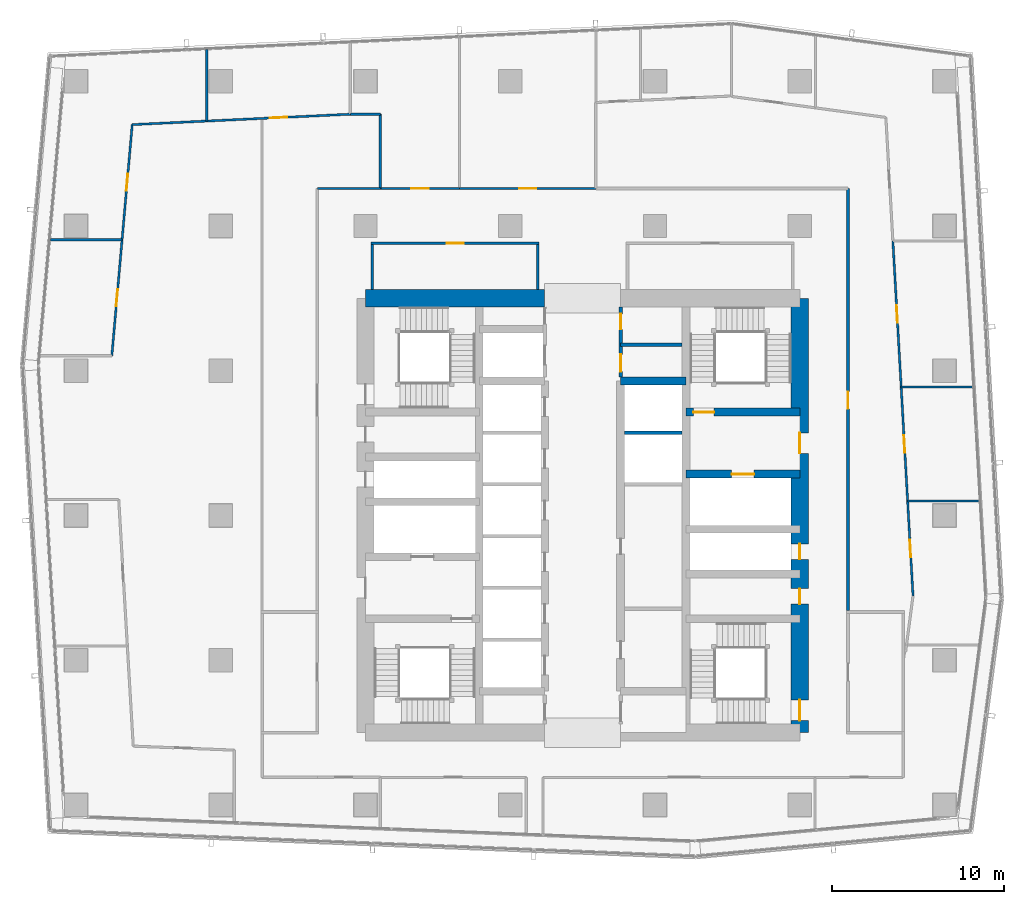
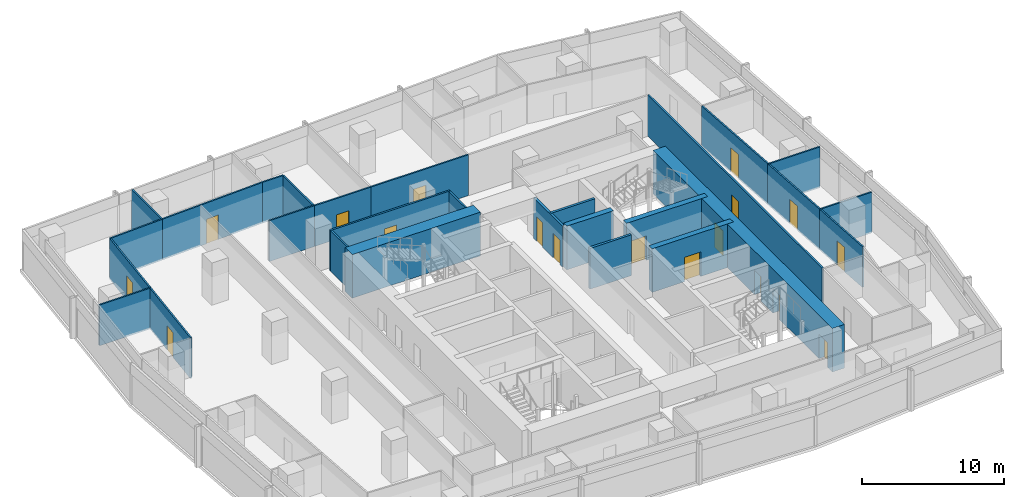
# One storey, part 29 of 38: 28 walls, 18 doors, 18 openings.
"""IFC4 building model written with IfcOpenShell, lengths in metres."""

from ifc_helpers import new_model, si_unit, direction, frame, frame_2d, origin, place, context, subcontext, project, spatial, rectangle, extrude, material, layer, layer_set, type_object, element, fill, save


model = new_model("IFC4")

# Units and contexts
model_context = context("Model", 3, precision=1e-05, world=origin(), true_north=direction((0.0, 1.0)))
body_context = subcontext(model_context, "Body", "Model", "MODEL_VIEW")
ifc_project = project(units=[si_unit("LENGTHUNIT", "METRE"), si_unit("AREAUNIT", "SQUARE_METRE"), si_unit("VOLUMEUNIT", "CUBIC_METRE"), si_unit("PLANEANGLEUNIT", "RADIAN"), si_unit("MASSUNIT", "GRAM", prefix="KILO")], contexts=[model_context])

# Site, building, storey
site_placement = place(None, origin())
site = spatial("IfcSite", under=ifc_project, at=site_placement, CompositionType="ELEMENT")
building_placement = place(site_placement, origin())
building = spatial("IfcBuilding", under=site, at=building_placement, Name="Rekha Terrace Tower", CompositionType="ELEMENT")
storey_placement = place(building_placement, frame((0.0, 0.0, 202.699951171875)))
storey = spatial("IfcBuildingStorey", under=building, at=storey_placement, Name="L51", CompositionType="ELEMENT", Elevation=202.699951171875)

# Wall
ifc_material_1 = material(Name="Concrete M60", Category="concrete")
ifc_layer_1 = layer(ifc_material_1, 0.449951171875)
ifc_layer_set_1 = layer_set([ifc_layer_1], Name="Concrete M60")
wall_type_1 = type_object("IfcWallType", Name="CI3 450 core internal shear wall", PredefinedType="SHEAR", material=ifc_layer_set_1)
wall_1_placement = place(storey_placement, frame((40.0, 41.39990234375, 0.0), z_axis=(0.0, 0.0, 1.0), x_axis=(1.0, 0.0, 0.0)))
element("IfcWall", 1, at=wall_1_placement, inside=storey, type_object=wall_type_1, Name="Core wall Y414E L51", PredefinedType="SHEAR", context=body_context, shape_type="SweptSolid", body=[
    extrude(rectangle(XDim=3.800048828125, YDim=0.449951171875, at=frame_2d((1.89990234375, 0.0))), origin(), (0.0, 0.0, 1.0), 3.75),
])

# Wall, opening, door
wall_2_placement = place(storey_placement, frame((43.800048828125, 36.0, 0.0), z_axis=(0.0, 0.0, 1.0), x_axis=(1.0, 0.0, 0.0)))
wall_2 = element("IfcWall", 2, at=wall_2_placement, inside=storey, type_object=wall_type_1, Name="Core wall Y360E L51", PredefinedType="SHEAR", context=body_context, shape_type="SweptSolid", body=[
    extrude(rectangle(XDim=6.599853515625, YDim=0.449951171875, at=frame_2d((3.2998046875, 0.0))), origin(), (0.0, 0.0, 1.0), 3.75),
])
opening_1_placement = place(wall_2_placement, frame((2.64990234375, 0.0, 0.0)))
opening_1 = element("IfcOpeningElement", 3, at=opening_1_placement, cuts=wall_2, Name="Opening LD2", PredefinedType="OPENING", context=body_context, shape_type="SweptSolid", body=[
    extrude(rectangle(XDim=1.300048828125, YDim=2.10009765625, at=frame_2d((0.64990234375, 1.050048828125))), frame((0.0, 0.23486328125, 0.0), z_axis=(0.0, -1.0, 0.0), x_axis=(1.0, 0.0, 0.0)), (0.0, 0.0, 1.0), 0.469970703125),
])
ifc_material_2 = material(Name="Stainless steel sliding landing door", Category="steel")
door_type_1 = type_object("IfcDoorType", Name="LD2 1300x2100 fire lift landing door", OperationType="SLIDING_TO_LEFT", PredefinedType="USERDEFINED", material=ifc_material_2)
door_1_placement = place(opening_1_placement, origin())
door_1 = element("IfcDoor", 4, at=door_1_placement, inside=storey, type_object=door_type_1, Name="Lift FL2 landing door L51", ObjectType="LIFT LANDING DOOR", OperationType="SLIDING_TO_LEFT", OverallHeight=2.10009765625, OverallWidth=1.300048828125, PredefinedType="USERDEFINED", context=body_context, shape_type="SweptSolid", body=[
    extrude(rectangle(XDim=1.300048828125, YDim=2.10009765625, at=frame_2d((0.64990234375, 1.050048828125))), frame((0.0, 0.02490234375, 0.0), z_axis=(0.0, -1.0, 0.0), x_axis=(1.0, 0.0, 0.0)), (0.0, 0.0, 1.0), 0.050048828125),
])
fill(opening_1, door_1)

wall_3_placement = place(storey_placement, frame((43.800048828125, 39.60009765625, 0.0), z_axis=(0.0, 0.0, 1.0), x_axis=(1.0, 0.0, 0.0)))
wall_3 = element("IfcWall", 5, at=wall_3_placement, inside=storey, type_object=wall_type_1, Name="Core wall Y396E L51", PredefinedType="SHEAR", context=body_context, shape_type="SweptSolid", body=[
    extrude(rectangle(XDim=6.599853515625, YDim=0.449951171875, at=frame_2d((3.2998046875, 0.0))), origin(), (0.0, 0.0, 1.0), 3.75),
])
opening_2_placement = place(wall_3_placement, frame((0.425048828125, 0.0, 0.0)))
opening_2 = element("IfcOpeningElement", 6, at=opening_2_placement, cuts=wall_3, Name="Opening D1", PredefinedType="OPENING", context=body_context, shape_type="SweptSolid", body=[
    extrude(rectangle(XDim=1.199951171875, YDim=2.10009765625, at=frame_2d((0.60009765625, 1.050048828125))), frame((0.0, 0.23486328125, 0.0), z_axis=(0.0, -1.0, 0.0), x_axis=(1.0, 0.0, 0.0)), (0.0, 0.0, 1.0), 0.469970703125),
])
ifc_material_3 = material(Name="Steel fire door", Category="steel")
door_type_2 = type_object("IfcDoorType", Name="D1 1200x2100 stair fire door", OperationType="SINGLE_SWING_RIGHT", PredefinedType="DOOR", material=ifc_material_3)
door_2_placement = place(opening_2_placement, origin())
door_2 = element("IfcDoor", 7, at=door_2_placement, inside=storey, type_object=door_type_2, Name="Stair ST2 door L51", OperationType="SINGLE_SWING_RIGHT", OverallHeight=2.10009765625, OverallWidth=1.199951171875, PredefinedType="DOOR", context=body_context, shape_type="SweptSolid", body=[
    extrude(rectangle(XDim=1.199951171875, YDim=2.10009765625, at=frame_2d((0.60009765625, 1.050048828125))), frame((0.0, 0.02490234375, 0.0), z_axis=(0.0, -1.0, 0.0), x_axis=(1.0, 0.0, 0.0)), (0.0, 0.0, 1.0), 0.050048828125),
])
fill(opening_2, door_2)

# Wall
ifc_layer_2 = layer(ifc_material_1, 1.0)
ifc_layer_set_2 = layer_set([ifc_layer_2], Name="Concrete M60")
wall_type_2 = type_object("IfcWallType", Name="SW3 1000 core outer shear wall", PredefinedType="SHEAR", material=ifc_layer_set_2)
wall_4_placement = place(storey_placement, frame((25.199951171875, 46.199951171875, 0.0), z_axis=(0.0, 0.0, 1.0), x_axis=(1.0, 0.0, 0.0)))
element("IfcWall", 8, at=wall_4_placement, inside=storey, type_object=wall_type_2, Name="Core wall N1 L51", PredefinedType="SHEAR", context=body_context, shape_type="SweptSolid", body=[
    extrude(rectangle(XDim=10.400146484375, YDim=1.0, at=frame_2d((5.2001953125, 0.0))), origin(), (0.0, 0.0, 1.0), 3.75),
])

# Wall, openings, doors
wall_5_placement = place(storey_placement, frame((50.39990234375, 21.0, 0.0), z_axis=(0.0, 0.0, 1.0), x_axis=(0.0, 1.0, 0.0)))
wall_5 = element("IfcWall", 9, at=wall_5_placement, inside=storey, type_object=wall_type_2, Name="Core wall E L51", PredefinedType="SHEAR", context=body_context, shape_type="SweptSolid", body=[
    extrude(rectangle(XDim=25.199951171875, YDim=1.0, at=frame_2d((12.60009765625, 0.0))), origin(), (0.0, 0.0, 1.0), 3.75),
])
opening_3_placement = place(wall_5_placement, frame((16.199951171875, 0.0, 0.0)))
opening_3 = element("IfcOpeningElement", 10, at=opening_3_placement, cuts=wall_5, Name="Opening D2", PredefinedType="OPENING", context=body_context, shape_type="SweptSolid", body=[
    extrude(rectangle(XDim=1.199951171875, YDim=2.10009765625, at=frame_2d((0.60009765625, 1.050048828125))), frame((0.0, 0.510009765625, 0.0), z_axis=(0.0, -1.0, 0.0), x_axis=(1.0, 0.0, 0.0)), (0.0, 0.0, 1.0), 1.02001953125),
])
opening_4_placement = place(wall_5_placement, frame((10.050048828125, 0.0, 0.0)))
opening_4 = element("IfcOpeningElement", 11, at=opening_4_placement, cuts=wall_5, Name="Opening D5", PredefinedType="OPENING", context=body_context, shape_type="SweptSolid", body=[
    extrude(rectangle(XDim=0.89990234375, YDim=2.10009765625, at=frame_2d((0.449951171875, 1.050048828125))), frame((0.0, 0.510009765625, 0.0), z_axis=(0.0, -1.0, 0.0), x_axis=(1.0, 0.0, 0.0)), (0.0, 0.0, 1.0), 1.02001953125),
])
opening_5_placement = place(wall_5_placement, frame((7.449951171875, 0.0, 0.0)))
opening_5 = element("IfcOpeningElement", 12, at=opening_5_placement, cuts=wall_5, Name="Opening D5", PredefinedType="OPENING", context=body_context, shape_type="SweptSolid", body=[
    extrude(rectangle(XDim=0.89990234375, YDim=2.10009765625, at=frame_2d((0.449951171875, 1.050048828125))), frame((0.0, 0.510009765625, 0.0), z_axis=(0.0, -1.0, 0.0), x_axis=(1.0, 0.0, 0.0)), (0.0, 0.0, 1.0), 1.02001953125),
])
opening_6_placement = place(wall_5_placement, frame((0.699951171875, 0.0, 0.0)))
opening_6 = element("IfcOpeningElement", 13, at=opening_6_placement, cuts=wall_5, Name="Opening D1", PredefinedType="OPENING", context=body_context, shape_type="SweptSolid", body=[
    extrude(rectangle(XDim=1.199951171875, YDim=2.10009765625, at=frame_2d((0.60009765625, 1.050048828125))), frame((0.0, 0.510009765625, 0.0), z_axis=(0.0, -1.0, 0.0), x_axis=(1.0, 0.0, 0.0)), (0.0, 0.0, 1.0), 1.02001953125),
])
door_3_placement = place(opening_6_placement, origin())
door_3 = element("IfcDoor", 14, at=door_3_placement, inside=storey, type_object=door_type_2, Name="Stair ST3 door L51", OperationType="SINGLE_SWING_RIGHT", OverallHeight=2.10009765625, OverallWidth=1.199951171875, PredefinedType="DOOR", context=body_context, shape_type="SweptSolid", body=[
    extrude(rectangle(XDim=1.199951171875, YDim=2.10009765625, at=frame_2d((0.60009765625, 1.050048828125))), frame((0.0, 0.02490234375, 0.0), z_axis=(0.0, -1.0, 0.0), x_axis=(1.0, 0.0, 0.0)), (0.0, 0.0, 1.0), 0.050048828125),
])
fill(opening_6, door_3)
door_type_3 = type_object("IfcDoorType", Name="D2 1200x2100 firefighting lobby door", OperationType="SINGLE_SWING_LEFT", PredefinedType="DOOR", material=ifc_material_3)
door_4_placement = place(opening_3_placement, origin())
door_4 = element("IfcDoor", 15, at=door_4_placement, inside=storey, type_object=door_type_3, Name="Door flb2 L51", OperationType="SINGLE_SWING_LEFT", OverallHeight=2.10009765625, OverallWidth=1.199951171875, PredefinedType="DOOR", context=body_context, shape_type="SweptSolid", body=[
    extrude(rectangle(XDim=1.199951171875, YDim=2.10009765625, at=frame_2d((0.60009765625, 1.050048828125))), frame((0.0, 0.02490234375, 0.0), z_axis=(0.0, -1.0, 0.0), x_axis=(1.0, 0.0, 0.0)), (0.0, 0.0, 1.0), 0.050048828125),
])
fill(opening_3, door_4)
door_type_4 = type_object("IfcDoorType", Name="D5 900x2100 riser access door", OperationType="SINGLE_SWING_LEFT", PredefinedType="DOOR", material=ifc_material_3)
door_5_placement = place(opening_4_placement, origin())
door_5 = element("IfcDoor", 16, at=door_5_placement, inside=storey, type_object=door_type_4, Name="Door rs2 L51", OperationType="SINGLE_SWING_LEFT", OverallHeight=2.10009765625, OverallWidth=0.89990234375, PredefinedType="DOOR", context=body_context, shape_type="SweptSolid", body=[
    extrude(rectangle(XDim=0.89990234375, YDim=2.10009765625, at=frame_2d((0.449951171875, 1.050048828125))), frame((0.0, 0.02490234375, 0.0), z_axis=(0.0, -1.0, 0.0), x_axis=(1.0, 0.0, 0.0)), (0.0, 0.0, 1.0), 0.050048828125),
])
fill(opening_4, door_5)
door_6_placement = place(opening_5_placement, origin())
door_6 = element("IfcDoor", 17, at=door_6_placement, inside=storey, type_object=door_type_4, Name="Door ele L51", OperationType="SINGLE_SWING_LEFT", OverallHeight=2.10009765625, OverallWidth=0.89990234375, PredefinedType="DOOR", context=body_context, shape_type="SweptSolid", body=[
    extrude(rectangle(XDim=0.89990234375, YDim=2.10009765625, at=frame_2d((0.449951171875, 1.050048828125))), frame((0.0, 0.02490234375, 0.0), z_axis=(0.0, -1.0, 0.0), x_axis=(1.0, 0.0, 0.0)), (0.0, 0.0, 1.0), 0.050048828125),
])
fill(opening_5, door_6)

# Wall, opening, door
ifc_material_4 = material(Name="Concrete block masonry, 1 hour", Category="masonry")
ifc_layer_3 = layer(ifc_material_4, 0.14990234375)
ifc_layer_set_3 = layer_set([ifc_layer_3], Name="Concrete block masonry, 1 hour")
wall_type_3 = type_object("IfcWallType", Name="WP2 150 tenancy partition", PredefinedType="PARTITIONING", material=ifc_layer_set_3)
wall_6_placement = place(storey_placement, frame((25.52490234375, 49.39990234375, 0.0), z_axis=(0.0, 0.0, 1.0), x_axis=(1.0, 0.0, 0.0)))
wall_6 = element("IfcWall", 18, at=wall_6_placement, inside=storey, type_object=wall_type_3, Name="Women's WC wall L51", PredefinedType="PARTITIONING", context=body_context, shape_type="SweptSolid", body=[
    extrude(rectangle(XDim=9.75, YDim=0.14990234375, at=frame_2d((4.875, 0.0))), origin(), (0.0, 0.0, 1.0), 3.5),
])
opening_7_placement = place(wall_6_placement, frame((4.375, 0.0, 0.0)))
opening_7 = element("IfcOpeningElement", 19, at=opening_7_placement, cuts=wall_6, Name="Opening D3", PredefinedType="OPENING", context=body_context, shape_type="SweptSolid", body=[
    extrude(rectangle(XDim=1.0, YDim=2.10009765625, at=frame_2d((0.5, 1.050048828125))), frame((0.0, 0.0849609375, 0.0), z_axis=(0.0, -1.0, 0.0), x_axis=(1.0, 0.0, 0.0)), (0.0, 0.0, 1.0), 0.169921875),
])
ifc_material_5 = material(Name="Laminated timber fire door", Category="wood")
door_type_5 = type_object("IfcDoorType", Name="D3 1000x2100 WC door", OperationType="SINGLE_SWING_LEFT", PredefinedType="DOOR", material=ifc_material_5)
door_7_placement = place(opening_7_placement, origin())
door_7 = element("IfcDoor", 20, at=door_7_placement, inside=storey, type_object=door_type_5, Name="Door women's wc L51", OperationType="SINGLE_SWING_LEFT", OverallHeight=2.10009765625, OverallWidth=1.0, PredefinedType="DOOR", context=body_context, shape_type="SweptSolid", body=[
    extrude(rectangle(XDim=1.0, YDim=2.10009765625, at=frame_2d((0.5, 1.050048828125))), frame((0.0, 0.02490234375, 0.0), z_axis=(0.0, -1.0, 0.0), x_axis=(1.0, 0.0, 0.0)), (0.0, 0.0, 1.0), 0.050048828125),
])
fill(opening_7, door_7)

# Walls
for number, where, z_axis, x_axis, name in (
    (21, (25.60009765625, 46.699951171875, 0.0), (0.0, 0.0, 1.0), (0.0, 1.0, 0.0), "Women's WC wall L51"),
    (22, (35.199951171875, 46.699951171875, 0.0), (0.0, 0.0, 1.0), (0.0, 1.0, 0.0), "Women's WC wall L51"),
):
    element("IfcWall", number, at=place(storey_placement, frame(where, z_axis=z_axis, x_axis=x_axis)), inside=storey, type_object=wall_type_3, Name=name, PredefinedType="PARTITIONING", context=body_context, shape_type="SweptSolid", body=[
        extrude(rectangle(XDim=2.625, YDim=0.14990234375, at=frame_2d((1.3125, 0.0))), origin(), (0.0, 0.0, 1.0), 3.5),
    ])

# Wall, opening, door
wall_7_placement = place(storey_placement, frame((53.199951171875, 28.074951171875, 0.0), z_axis=(0.0, 0.0, 1.0), x_axis=(0.0, 1.0, 0.0)))
wall_7 = element("IfcWall", 23, at=wall_7_placement, inside=storey, type_object=wall_type_3, Name="Partition L51-O1", PredefinedType="PARTITIONING", context=body_context, shape_type="SweptSolid", body=[
    extrude(rectangle(XDim=24.5, YDim=0.14990234375, at=frame_2d((12.25, 0.0))), origin(), (0.0, 0.0, 1.0), 3.5),
])
opening_8_placement = place(wall_7_placement, frame((11.712890625, 0.0, 0.0)))
opening_8 = element("IfcOpeningElement", 24, at=opening_8_placement, cuts=wall_7, Name="Opening D9", PredefinedType="OPENING", context=body_context, shape_type="SweptSolid", body=[
    extrude(rectangle(XDim=1.0, YDim=2.10009765625, at=frame_2d((0.5, 1.050048828125))), frame((0.0, 0.0849609375, 0.0), z_axis=(0.0, -1.0, 0.0), x_axis=(1.0, 0.0, 0.0)), (0.0, 0.0, 1.0), 0.169921875),
])
ifc_material_6 = material(Name="Timber fire door", Category="wood")
door_type_6 = type_object("IfcDoorType", Name="D9 1000x2100 office door", OperationType="SINGLE_SWING_LEFT", PredefinedType="DOOR", material=ifc_material_6)
door_8_placement = place(opening_8_placement, origin())
door_8 = element("IfcDoor", 25, at=door_8_placement, inside=storey, type_object=door_type_6, Name="Door open-plan office L51", OperationType="SINGLE_SWING_LEFT", OverallHeight=2.10009765625, OverallWidth=1.0, PredefinedType="DOOR", context=body_context, shape_type="SweptSolid", body=[
    extrude(rectangle(XDim=1.0, YDim=2.10009765625, at=frame_2d((0.5, 1.050048828125))), frame((0.0, 0.02490234375, 0.0), z_axis=(0.0, -1.0, 0.0), x_axis=(1.0, 0.0, 0.0)), (0.0, 0.0, 1.0), 0.050048828125),
])
fill(opening_8, door_8)

ifc_material_7 = material(Name="Two layers of fire-rated gypsum board each side on steel studs, acoustic quilt, 1 hour", Category="steel")
ifc_layer_4 = layer(ifc_material_7, 0.125)
ifc_layer_set_4 = layer_set([ifc_layer_4], Name="Two layers of fire-rated gypsum board each side on steel studs, acoustic quilt, 1 hour")
wall_type_4 = type_object("IfcWallType", Name="WP3 125 office partition", PredefinedType="PARTITIONING", material=ifc_layer_set_4)
wall_8_placement = place(storey_placement, frame((56.969970703125, 28.93798828125, 0.0), z_axis=(0.0, 0.0, 1.0), x_axis=(-0.056688504788, 0.998391913742, 0.0)))
wall_8 = element("IfcWall", 26, at=wall_8_placement, inside=storey, type_object=wall_type_4, Name="Partition L51-03", PredefinedType="PARTITIONING", context=body_context, shape_type="SweptSolid", body=[
    extrude(rectangle(XDim=5.50390625, YDim=0.125, at=frame_2d((2.751953125, 0.0))), origin(), (0.0, 0.0, 1.0), 3.5),
])
opening_9_placement = place(wall_8_placement, frame((2.251953125, 0.0, 0.0)))
opening_9 = element("IfcOpeningElement", 27, at=opening_9_placement, cuts=wall_8, Name="Opening D9", PredefinedType="OPENING", context=body_context, shape_type="SweptSolid", body=[
    extrude(rectangle(XDim=1.0, YDim=2.10009765625, at=frame_2d((0.5, 1.050048828125))), frame((0.0, 0.072509765625, 0.0), z_axis=(0.0, -1.0, 0.0), x_axis=(1.0, 0.0, 0.0)), (0.0, 0.0, 1.0), 0.14501953125),
])
door_9_placement = place(opening_9_placement, origin())
door_9 = element("IfcDoor", 28, at=door_9_placement, inside=storey, type_object=door_type_6, Name="Door office L51", OperationType="SINGLE_SWING_LEFT", OverallHeight=2.10009765625, OverallWidth=1.0, PredefinedType="DOOR", context=body_context, shape_type="SweptSolid", body=[
    extrude(rectangle(XDim=1.0, YDim=2.10009765625, at=frame_2d((0.5, 1.050048828125))), frame((0.0, 0.02490234375, 0.0), z_axis=(0.0, -1.0, 0.0), x_axis=(1.0, 0.0, 0.0)), (0.0, 0.0, 1.0), 0.050048828125),
])
fill(opening_9, door_9)

# Wall
wall_9_placement = place(storey_placement, frame((56.657958984375, 34.43310546875, 0.0), z_axis=(0.0, 0.0, 1.0), x_axis=(1.0, 0.0, 0.0)))
element("IfcWall", 29, at=wall_9_placement, inside=storey, type_object=wall_type_4, Name="Partition L51-03", PredefinedType="PARTITIONING", context=body_context, shape_type="SweptSolid", body=[
    extrude(rectangle(XDim=4.156982421875, YDim=0.125, at=frame_2d((2.07861328125, 0.0))), origin(), (0.0, 0.0, 1.0), 3.5),
])

# Wall, opening, door
wall_10_placement = place(storey_placement, frame((56.657958984375, 34.43408203125, 0.0), z_axis=(0.0, 0.0, 1.0), x_axis=(-0.056556940453, 0.998399375244, 0.0)))
wall_10 = element("IfcWall", 30, at=wall_10_placement, inside=storey, type_object=wall_type_4, Name="Partition L51-04", PredefinedType="PARTITIONING", context=body_context, shape_type="SweptSolid", body=[
    extrude(rectangle(XDim=6.63037109375, YDim=0.125, at=frame_2d((3.315185546875, 0.0))), origin(), (0.0, 0.0, 1.0), 3.5),
])
opening_10_placement = place(wall_10_placement, frame((2.81494140625, 0.0, 0.0)))
opening_10 = element("IfcOpeningElement", 31, at=opening_10_placement, cuts=wall_10, Name="Opening D9", PredefinedType="OPENING", context=body_context, shape_type="SweptSolid", body=[
    extrude(rectangle(XDim=1.0, YDim=2.10009765625, at=frame_2d((0.5, 1.050048828125))), frame((0.0, 0.072509765625, 0.0), z_axis=(0.0, -1.0, 0.0), x_axis=(1.0, 0.0, 0.0)), (0.0, 0.0, 1.0), 0.14501953125),
])
door_10_placement = place(opening_10_placement, origin())
door_10 = element("IfcDoor", 32, at=door_10_placement, inside=storey, type_object=door_type_6, Name="Door office L51", OperationType="SINGLE_SWING_LEFT", OverallHeight=2.10009765625, OverallWidth=1.0, PredefinedType="DOOR", context=body_context, shape_type="SweptSolid", body=[
    extrude(rectangle(XDim=1.0, YDim=2.10009765625, at=frame_2d((0.5, 1.050048828125))), frame((0.0, 0.02490234375, 0.0), z_axis=(0.0, -1.0, 0.0), x_axis=(1.0, 0.0, 0.0)), (0.0, 0.0, 1.0), 0.050048828125),
])
fill(opening_10, door_10)

# Wall
wall_11_placement = place(storey_placement, frame((56.282958984375, 41.053955078125, 0.0), z_axis=(0.0, 0.0, 1.0), x_axis=(1.0, 0.0, 0.0)))
element("IfcWall", 33, at=wall_11_placement, inside=storey, type_object=wall_type_4, Name="Partition L51-04", PredefinedType="PARTITIONING", context=body_context, shape_type="SweptSolid", body=[
    extrude(rectangle(XDim=4.156005859375, YDim=0.125, at=frame_2d((2.078125, 0.0))), origin(), (0.0, 0.0, 1.0), 3.5),
])

# Wall, opening, door
wall_12_placement = place(storey_placement, frame((56.282958984375, 41.054931640625, 0.0), z_axis=(0.0, 0.0, 1.0), x_axis=(-0.056725059265, 0.998389837514, 0.0)))
wall_12 = element("IfcWall", 34, at=wall_12_placement, inside=storey, type_object=wall_type_4, Name="Partition L51-05", PredefinedType="PARTITIONING", context=body_context, shape_type="SweptSolid", body=[
    extrude(rectangle(XDim=8.478759765625, YDim=0.125, at=frame_2d((4.2392578125, 0.0))), origin(), (0.0, 0.0, 1.0), 3.5),
])
opening_11_placement = place(wall_12_placement, frame((3.739013671875, 0.0, 0.0)))
opening_11 = element("IfcOpeningElement", 35, at=opening_11_placement, cuts=wall_12, Name="Opening D9", PredefinedType="OPENING", context=body_context, shape_type="SweptSolid", body=[
    extrude(rectangle(XDim=1.0, YDim=2.10009765625, at=frame_2d((0.5, 1.050048828125))), frame((0.0, 0.072509765625, 0.0), z_axis=(0.0, -1.0, 0.0), x_axis=(1.0, 0.0, 0.0)), (0.0, 0.0, 1.0), 0.14501953125),
])
door_11_placement = place(opening_11_placement, origin())
door_11 = element("IfcDoor", 36, at=door_11_placement, inside=storey, type_object=door_type_6, Name="Door office L51", OperationType="SINGLE_SWING_LEFT", OverallHeight=2.10009765625, OverallWidth=1.0, PredefinedType="DOOR", context=body_context, shape_type="SweptSolid", body=[
    extrude(rectangle(XDim=1.0, YDim=2.10009765625, at=frame_2d((0.5, 1.050048828125))), frame((0.0, 0.02490234375, 0.0), z_axis=(0.0, -1.0, 0.0), x_axis=(1.0, 0.0, 0.0)), (0.0, 0.0, 1.0), 0.050048828125),
])
fill(opening_11, door_11)

wall_13_placement = place(storey_placement, frame((30.660888671875, 52.574951171875, 0.0), z_axis=(0.0, 0.0, 1.0), x_axis=(-1.0, 0.0, 0.0)))
wall_13 = element("IfcWall", 37, at=wall_13_placement, inside=storey, type_object=wall_type_4, Name="Partition L51-10", PredefinedType="PARTITIONING", context=body_context, shape_type="SweptSolid", body=[
    extrude(rectangle(XDim=4.602783203125, YDim=0.125, at=frame_2d((2.30126953125, 0.0))), origin(), (0.0, 0.0, 1.0), 3.5),
])
opening_12_placement = place(wall_13_placement, frame((1.802001953125, 0.0, 0.0)))
opening_12 = element("IfcOpeningElement", 38, at=opening_12_placement, cuts=wall_13, Name="Opening D9", PredefinedType="OPENING", context=body_context, shape_type="SweptSolid", body=[
    extrude(rectangle(XDim=1.0, YDim=2.10009765625, at=frame_2d((0.5, 1.050048828125))), frame((0.0, 0.072509765625, 0.0), z_axis=(0.0, -1.0, 0.0), x_axis=(1.0, 0.0, 0.0)), (0.0, 0.0, 1.0), 0.14501953125),
])
door_12_placement = place(opening_12_placement, origin())
door_12 = element("IfcDoor", 39, at=door_12_placement, inside=storey, type_object=door_type_6, Name="Door office L51", OperationType="SINGLE_SWING_LEFT", OverallHeight=2.10009765625, OverallWidth=1.0, PredefinedType="DOOR", context=body_context, shape_type="SweptSolid", body=[
    extrude(rectangle(XDim=1.0, YDim=2.10009765625, at=frame_2d((0.5, 1.050048828125))), frame((0.0, 0.02490234375, 0.0), z_axis=(0.0, -1.0, 0.0), x_axis=(1.0, 0.0, 0.0)), (0.0, 0.0, 1.0), 0.050048828125),
])
fill(opening_12, door_12)

# Walls
wall_14_placement = place(storey_placement, frame((26.05810546875, 52.574951171875, 0.0), z_axis=(0.0, 0.0, 1.0), x_axis=(0.0, 1.0, 0.0)))
element("IfcWall", 40, at=wall_14_placement, inside=storey, type_object=wall_type_4, Name="Partition L51-10", PredefinedType="PARTITIONING", context=body_context, shape_type="SweptSolid", body=[
    extrude(rectangle(XDim=4.31005859375, YDim=0.125, at=frame_2d((2.155029296875, 0.0))), origin(), (0.0, 0.0, 1.0), 3.5),
])
wall_15_placement = place(storey_placement, frame((26.05810546875, 56.885009765625, 0.0), z_axis=(0.0, 0.0, 1.0), x_axis=(-1.0, 0.0, 0.0)))
element("IfcWall", 41, at=wall_15_placement, inside=storey, type_object=wall_type_4, Name="Partition L51-10", PredefinedType="PARTITIONING", context=body_context, shape_type="SweptSolid", body=[
    extrude(rectangle(XDim=1.736083984375, YDim=0.125, at=frame_2d((0.8681640625, 0.0))), origin(), (0.0, 0.0, 1.0), 3.5),
])

# Wall, opening, door
wall_16_placement = place(storey_placement, frame((24.31689453125, 56.885009765625, 0.0), z_axis=(0.0, 0.0, 1.0), x_axis=(-0.998859973319, -0.047736293327, 0.0)))
wall_16 = element("IfcWall", 42, at=wall_16_placement, inside=storey, type_object=wall_type_4, Name="Partition L51-11", PredefinedType="PARTITIONING", context=body_context, shape_type="SweptSolid", body=[
    extrude(rectangle(XDim=8.33642578125, YDim=0.125, at=frame_2d((4.168212890625, 0.0))), origin(), (0.0, 0.0, 1.0), 3.5),
])
opening_13_placement = place(wall_16_placement, frame((3.66796875, 0.0, 0.0)))
opening_13 = element("IfcOpeningElement", 43, at=opening_13_placement, cuts=wall_16, Name="Opening D9", PredefinedType="OPENING", context=body_context, shape_type="SweptSolid", body=[
    extrude(rectangle(XDim=1.0, YDim=2.10009765625, at=frame_2d((0.5, 1.050048828125))), frame((0.0, 0.072509765625, 0.0), z_axis=(0.0, -1.0, 0.0), x_axis=(1.0, 0.0, 0.0)), (0.0, 0.0, 1.0), 0.14501953125),
])
door_13_placement = place(opening_13_placement, origin())
door_13 = element("IfcDoor", 44, at=door_13_placement, inside=storey, type_object=door_type_6, Name="Door office L51", OperationType="SINGLE_SWING_LEFT", OverallHeight=2.10009765625, OverallWidth=1.0, PredefinedType="DOOR", context=body_context, shape_type="SweptSolid", body=[
    extrude(rectangle(XDim=1.0, YDim=2.10009765625, at=frame_2d((0.5, 1.050048828125))), frame((0.0, 0.02490234375, 0.0), z_axis=(0.0, -1.0, 0.0), x_axis=(1.0, 0.0, 0.0)), (0.0, 0.0, 1.0), 0.050048828125),
])
fill(opening_13, door_13)

# Walls
wall_17_placement = place(storey_placement, frame((15.989990234375, 56.487060546875, 0.0), z_axis=(0.0, 0.0, 1.0), x_axis=(0.0, 1.0, 0.0)))
element("IfcWall", 45, at=wall_17_placement, inside=storey, type_object=wall_type_4, Name="Partition L51-11", PredefinedType="PARTITIONING", context=body_context, shape_type="SweptSolid", body=[
    extrude(rectangle(XDim=4.155029296875, YDim=0.125, at=frame_2d((2.07763671875, 0.0))), origin(), (0.0, 0.0, 1.0), 3.5),
])
wall_18_placement = place(storey_placement, frame((11.072998046875, 49.60205078125, 0.0), z_axis=(0.0, 0.0, 1.0), x_axis=(-1.0, 0.0, 0.0)))
element("IfcWall", 46, at=wall_18_placement, inside=storey, type_object=wall_type_4, Name="Partition L51-12", PredefinedType="PARTITIONING", context=body_context, shape_type="SweptSolid", body=[
    extrude(rectangle(XDim=4.1669921875, YDim=0.125, at=frame_2d((2.08349609375, 0.0))), origin(), (0.0, 0.0, 1.0), 3.5),
])
wall_19_placement = place(storey_placement, frame((15.989013671875, 56.487060546875, 0.0), z_axis=(0.0, 0.0, 1.0), x_axis=(-0.998857273451, -0.047792753365, 0.0)))
element("IfcWall", 47, at=wall_19_placement, inside=storey, type_object=wall_type_4, Name="Partition L51-12", PredefinedType="PARTITIONING", context=body_context, shape_type="SweptSolid", body=[
    extrude(rectangle(XDim=4.331787109375, YDim=0.125, at=frame_2d((2.166015625, 0.0))), origin(), (0.0, 0.0, 1.0), 3.5),
])

# Wall, opening, door
wall_20_placement = place(storey_placement, frame((11.662109375, 56.280029296875, 0.0), z_axis=(0.0, 0.0, 1.0), x_axis=(-0.087875742136, -0.99613144411, 0.0)))
wall_20 = element("IfcWall", 48, at=wall_20_placement, inside=storey, type_object=wall_type_4, Name="Partition L51-12", PredefinedType="PARTITIONING", context=body_context, shape_type="SweptSolid", body=[
    extrude(rectangle(XDim=6.703857421875, YDim=0.125, at=frame_2d((3.35205078125, 0.0))), origin(), (0.0, 0.0, 1.0), 3.5),
])
opening_14_placement = place(wall_20_placement, frame((2.85205078125, 0.0, 0.0)))
opening_14 = element("IfcOpeningElement", 49, at=opening_14_placement, cuts=wall_20, Name="Opening D9", PredefinedType="OPENING", context=body_context, shape_type="SweptSolid", body=[
    extrude(rectangle(XDim=1.0, YDim=2.10009765625, at=frame_2d((0.5, 1.050048828125))), frame((0.0, 0.072509765625, 0.0), z_axis=(0.0, -1.0, 0.0), x_axis=(1.0, 0.0, 0.0)), (0.0, 0.0, 1.0), 0.14501953125),
])
door_14_placement = place(opening_14_placement, origin())
door_14 = element("IfcDoor", 50, at=door_14_placement, inside=storey, type_object=door_type_6, Name="Door director's office L51", OperationType="SINGLE_SWING_LEFT", OverallHeight=2.10009765625, OverallWidth=1.0, PredefinedType="DOOR", context=body_context, shape_type="SweptSolid", body=[
    extrude(rectangle(XDim=1.0, YDim=2.10009765625, at=frame_2d((0.5, 1.050048828125))), frame((0.0, 0.02490234375, 0.0), z_axis=(0.0, -1.0, 0.0), x_axis=(1.0, 0.0, 0.0)), (0.0, 0.0, 1.0), 0.050048828125),
])
fill(opening_14, door_14)

wall_21_placement = place(storey_placement, frame((11.072998046875, 49.60107421875, 0.0), z_axis=(0.0, 0.0, 1.0), x_axis=(-0.087919121044, -0.9961276164, 0.0)))
wall_21 = element("IfcWall", 51, at=wall_21_placement, inside=storey, type_object=wall_type_4, Name="Partition L51-13", PredefinedType="PARTITIONING", context=body_context, shape_type="SweptSolid", body=[
    extrude(rectangle(XDim=6.756103515625, YDim=0.125, at=frame_2d((3.3779296875, 0.0))), origin(), (0.0, 0.0, 1.0), 3.5),
])
opening_15_placement = place(wall_21_placement, frame((2.8779296875, 0.0, 0.0)))
opening_15 = element("IfcOpeningElement", 52, at=opening_15_placement, cuts=wall_21, Name="Opening D9", PredefinedType="OPENING", context=body_context, shape_type="SweptSolid", body=[
    extrude(rectangle(XDim=1.0, YDim=2.10009765625, at=frame_2d((0.5, 1.050048828125))), frame((0.0, 0.072509765625, 0.0), z_axis=(0.0, -1.0, 0.0), x_axis=(1.0, 0.0, 0.0)), (0.0, 0.0, 1.0), 0.14501953125),
])
door_15_placement = place(opening_15_placement, origin())
door_15 = element("IfcDoor", 53, at=door_15_placement, inside=storey, type_object=door_type_6, Name="Door wellness room L51", OperationType="SINGLE_SWING_LEFT", OverallHeight=2.10009765625, OverallWidth=1.0, PredefinedType="DOOR", context=body_context, shape_type="SweptSolid", body=[
    extrude(rectangle(XDim=1.0, YDim=2.10009765625, at=frame_2d((0.5, 1.050048828125))), frame((0.0, 0.02490234375, 0.0), z_axis=(0.0, -1.0, 0.0), x_axis=(1.0, 0.0, 0.0)), (0.0, 0.0, 1.0), 0.050048828125),
])
fill(opening_15, door_15)

# Wall
wall_22_placement = place(storey_placement, frame((26.05810546875, 52.574951171875, 0.0), z_axis=(0.0, 0.0, 1.0), x_axis=(-1.0, 0.0, 0.0)))
element("IfcWall", 54, at=wall_22_placement, inside=storey, type_object=wall_type_4, Name="Partition L51-17", PredefinedType="PARTITIONING", context=body_context, shape_type="SweptSolid", body=[
    extrude(rectangle(XDim=3.658203125, YDim=0.125, at=frame_2d((1.8291015625, 0.0))), origin(), (0.0, 0.0, 1.0), 3.5),
])

# Wall, opening, door
wall_23_placement = place(storey_placement, frame((38.570068359375, 52.574951171875, 0.0), z_axis=(0.0, 0.0, 1.0), x_axis=(-1.0, 0.0, 0.0)))
wall_23 = element("IfcWall", 55, at=wall_23_placement, inside=storey, type_object=wall_type_4, Name="Partition L51-20", PredefinedType="PARTITIONING", context=body_context, shape_type="SweptSolid", body=[
    extrude(rectangle(XDim=7.9091796875, YDim=0.125, at=frame_2d((3.95458984375, 0.0))), origin(), (0.0, 0.0, 1.0), 3.5),
])
opening_16_placement = place(wall_23_placement, frame((3.455078125, 0.0, 0.0)))
opening_16 = element("IfcOpeningElement", 56, at=opening_16_placement, cuts=wall_23, Name="Opening D9", PredefinedType="OPENING", context=body_context, shape_type="SweptSolid", body=[
    extrude(rectangle(XDim=1.0, YDim=2.10009765625, at=frame_2d((0.5, 1.050048828125))), frame((0.0, 0.072509765625, 0.0), z_axis=(0.0, -1.0, 0.0), x_axis=(1.0, 0.0, 0.0)), (0.0, 0.0, 1.0), 0.14501953125),
])
door_16_placement = place(opening_16_placement, origin())
door_16 = element("IfcDoor", 57, at=door_16_placement, inside=storey, type_object=door_type_6, Name="Door breakout lounge L51", OperationType="SINGLE_SWING_LEFT", OverallHeight=2.10009765625, OverallWidth=1.0, PredefinedType="DOOR", context=body_context, shape_type="SweptSolid", body=[
    extrude(rectangle(XDim=1.0, YDim=2.10009765625, at=frame_2d((0.5, 1.050048828125))), frame((0.0, 0.02490234375, 0.0), z_axis=(0.0, -1.0, 0.0), x_axis=(1.0, 0.0, 0.0)), (0.0, 0.0, 1.0), 0.050048828125),
])
fill(opening_16, door_16)

# Wall
ifc_material_8 = material(Name="Solid concrete block masonry, 2 hour", Category="masonry")
ifc_layer_5 = layer(ifc_material_8, 0.199951171875)
ifc_layer_set_5 = layer_set([ifc_layer_5], Name="Solid concrete block masonry, 2 hour")
wall_type_5 = type_object("IfcWallType", Name="WS1 200 stair and shaft enclosure", PredefinedType="PARTITIONING", material=ifc_layer_set_5)
wall_24_placement = place(storey_placement, frame((40.22509765625, 38.39990234375, 0.0), z_axis=(0.0, 0.0, 1.0), x_axis=(1.0, 0.0, 0.0)))
element("IfcWall", 58, at=wall_24_placement, inside=storey, type_object=wall_type_5, Name="Lift shaft divider L51", PredefinedType="PARTITIONING", context=body_context, shape_type="SweptSolid", body=[
    extrude(rectangle(XDim=3.349853515625, YDim=0.199951171875, at=frame_2d((1.6748046875, 0.0))), origin(), (0.0, 0.0, 1.0), 3.5),
])

# Wall, openings, doors
wall_25_placement = place(storey_placement, frame((40.0, 41.625, 0.0), z_axis=(0.0, 0.0, 1.0), x_axis=(0.0, 1.0, 0.0)))
wall_25 = element("IfcWall", 59, at=wall_25_placement, inside=storey, type_object=wall_type_5, Name="Core partition elec L51", PredefinedType="PARTITIONING", context=body_context, shape_type="SweptSolid", body=[
    extrude(rectangle(XDim=4.074951171875, YDim=0.199951171875, at=frame_2d((2.03759765625, 0.0))), origin(), (0.0, 0.0, 1.0), 3.5),
])
opening_17_placement = place(wall_25_placement, frame((2.77490234375, 0.0, 0.0)))
opening_17 = element("IfcOpeningElement", 60, at=opening_17_placement, cuts=wall_25, Name="Opening D5", PredefinedType="OPENING", context=body_context, shape_type="SweptSolid", body=[
    extrude(rectangle(XDim=0.89990234375, YDim=2.10009765625, at=frame_2d((0.449951171875, 1.050048828125))), frame((0.0, 0.10986328125, 0.0), z_axis=(0.0, -1.0, 0.0), x_axis=(1.0, 0.0, 0.0)), (0.0, 0.0, 1.0), 0.219970703125),
])
opening_18_placement = place(wall_25_placement, frame((0.324951171875, 0.0, 0.0)))
opening_18 = element("IfcOpeningElement", 61, at=opening_18_placement, cuts=wall_25, Name="Opening D9", PredefinedType="OPENING", context=body_context, shape_type="SweptSolid", body=[
    extrude(rectangle(XDim=1.0, YDim=2.10009765625, at=frame_2d((0.5, 1.050048828125))), frame((0.0, 0.10986328125, 0.0), z_axis=(0.0, -1.0, 0.0), x_axis=(1.0, 0.0, 0.0)), (0.0, 0.0, 1.0), 0.219970703125),
])
door_17_placement = place(opening_17_placement, origin())
door_17 = element("IfcDoor", 62, at=door_17_placement, inside=storey, type_object=door_type_4, Name="Door electrical room L51", OperationType="SINGLE_SWING_LEFT", OverallHeight=2.10009765625, OverallWidth=0.89990234375, PredefinedType="DOOR", context=body_context, shape_type="SweptSolid", body=[
    extrude(rectangle(XDim=0.89990234375, YDim=2.10009765625, at=frame_2d((0.449951171875, 1.050048828125))), frame((0.0, 0.02490234375, 0.0), z_axis=(0.0, -1.0, 0.0), x_axis=(1.0, 0.0, 0.0)), (0.0, 0.0, 1.0), 0.050048828125),
])
fill(opening_17, door_17)
door_18_placement = place(opening_18_placement, origin())
door_18 = element("IfcDoor", 63, at=door_18_placement, inside=storey, type_object=door_type_6, Name="Door mail and print room L51", OperationType="SINGLE_SWING_LEFT", OverallHeight=2.10009765625, OverallWidth=1.0, PredefinedType="DOOR", context=body_context, shape_type="SweptSolid", body=[
    extrude(rectangle(XDim=1.0, YDim=2.10009765625, at=frame_2d((0.5, 1.050048828125))), frame((0.0, 0.02490234375, 0.0), z_axis=(0.0, -1.0, 0.0), x_axis=(1.0, 0.0, 0.0)), (0.0, 0.0, 1.0), 0.050048828125),
])
fill(opening_18, door_18)

# Wall
wall_26_placement = place(storey_placement, frame((40.0, 43.5, 0.0), z_axis=(0.0, 0.0, 1.0), x_axis=(1.0, 0.0, 0.0)))
element("IfcWall", 64, at=wall_26_placement, inside=storey, type_object=wall_type_5, Name="Core partition elx L51", PredefinedType="PARTITIONING", context=body_context, shape_type="SweptSolid", body=[
    extrude(rectangle(XDim=3.574951171875, YDim=0.199951171875, at=frame_2d((1.78759765625, 0.0))), origin(), (0.0, 0.0, 1.0), 3.5),
])

save(model, "model.ifc")
